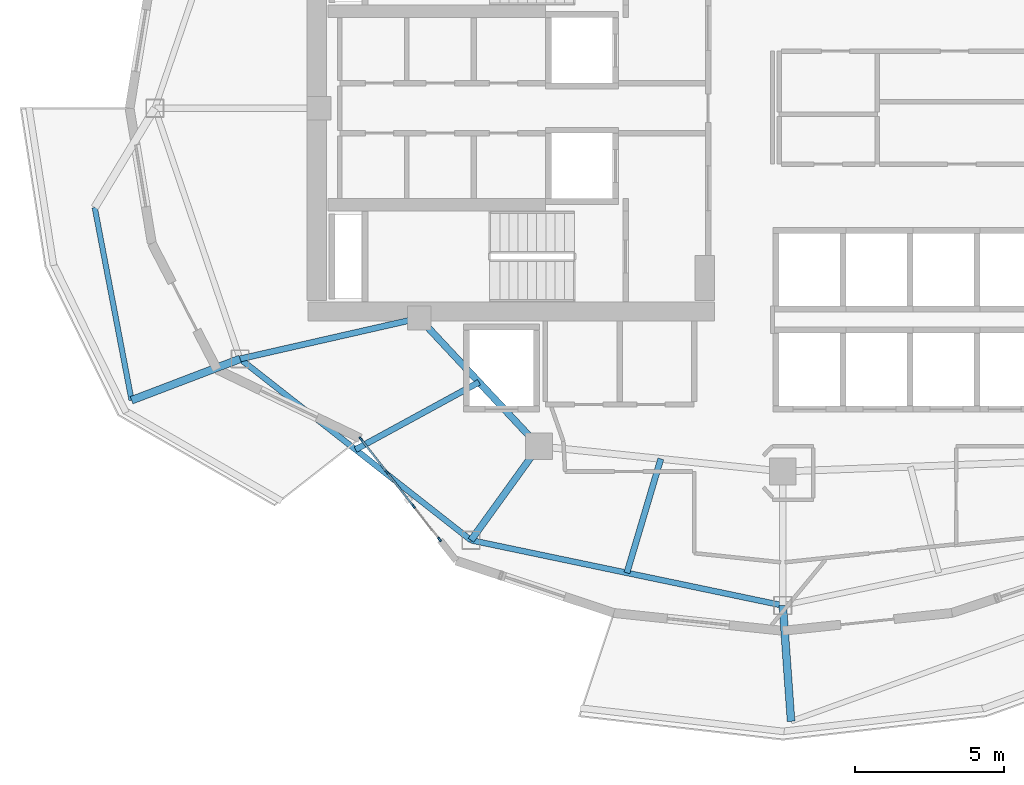
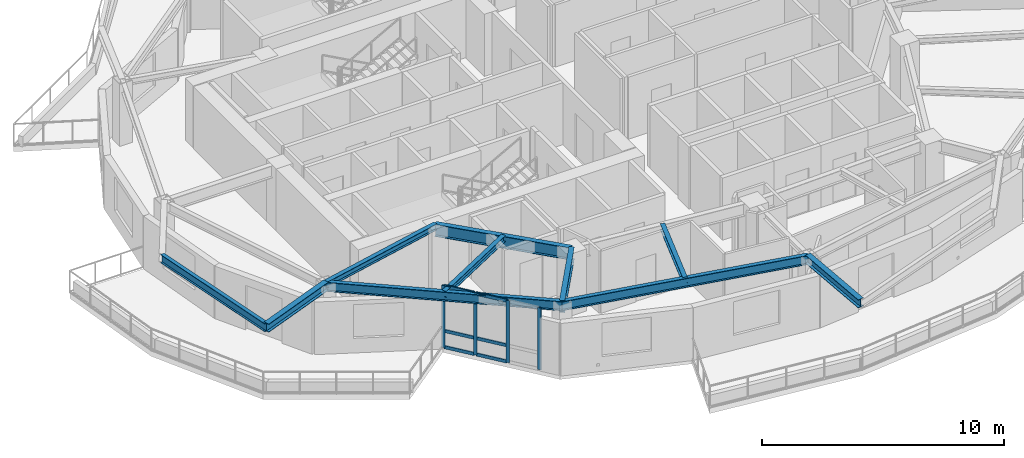
# One storey, part 2 of 19: 10 beams, 10 members, 1 element without a shape of its own.
"""IFC4 building model written with IfcOpenShell, lengths in metres."""

from ifc_helpers import new_model, si_unit, direction, frame, origin, origin_2d, place, context, subcontext, project, spatial, rectangle, i_section, extrude, material, layer, layer_set, material_profile, profile_set, type_object, element, aggregate, save


model = new_model("IFC4")

# Units and contexts
model_context = context("Model", 3, precision=1e-05, world=origin(), true_north=direction((0.0, 1.0)))
body_context = subcontext(model_context, "Body", "Model", "MODEL_VIEW")
ifc_project = project(units=[si_unit("LENGTHUNIT", "METRE"), si_unit("AREAUNIT", "SQUARE_METRE"), si_unit("VOLUMEUNIT", "CUBIC_METRE"), si_unit("PLANEANGLEUNIT", "RADIAN"), si_unit("MASSUNIT", "GRAM", prefix="KILO")], contexts=[model_context])

# Site, building, storey
site_placement = place(None, origin())
site = spatial("IfcSite", under=ifc_project, at=site_placement, CompositionType="ELEMENT")
building_placement = place(site_placement, origin())
building = spatial("IfcBuilding", under=site, at=building_placement, Name="Kolvaren Gate Tower and Convention Centre", CompositionType="ELEMENT")
storey_placement = place(building_placement, frame((0.0, 0.0, 169.89990234375)))
storey = spatial("IfcBuildingStorey", under=building, at=storey_placement, Name="L44", CompositionType="ELEMENT", Elevation=169.89990234375)

# Curtain wall, members
ifc_material_1 = material(Name="Anodized Architectural Aluminium Alloy 6063-T6", Category="aluminium")
ifc_layer = layer(ifc_material_1, 0.159912109375)
ifc_layer_set = layer_set([ifc_layer], Name="Anodized Architectural Aluminium Alloy 6063-T6")
curtain_wall_type = type_object("IfcCurtainWallType", Name="CW-HTL-UNIT", PredefinedType="NOTDEFINED", material=ifc_layer_set)
curtain_wall_placement = place(storey_placement, origin())
curtain_wall = element("IfcCurtainWall", 1, at=curtain_wall_placement, inside=storey, type_object=curtain_wall_type, Name="Tower L44 Unitised Curtain Wall CW-HTL-UNIT Bay 15", PredefinedType="NOTDEFINED")
ifc_material_profile_1 = material_profile(ifc_material_1, rectangle(XDim=0.06494140625, YDim=0.159912109375, at=origin_2d()), Name="CW-MEM-MUL-160")
ifc_profile_set_1 = profile_set([ifc_material_profile_1], Name="Anodized Architectural Aluminium Alloy 6063-T6")
member_type_1 = type_object("IfcMemberType", Name="CW-MEM-MUL-160", PredefinedType="MULLION", material=ifc_profile_set_1)
member_1_placement = place(storey_placement, frame((15.95654296875, 15.888427734375, 0.0), z_axis=(0.0, 0.0, 1.0), x_axis=(0.787414701294, 0.616423627213, 0.0)))
member_1 = element("IfcMember", 2, at=member_1_placement, type_object=member_type_1, Name="CW-03 mullion 1", PredefinedType="MULLION", context=body_context, shape_type="SweptSolid", body=[
    extrude(rectangle(XDim=0.06494140625, YDim=0.159912109375, at=origin_2d()), origin(), (0.0, 0.0, 1.0), 3.130126953125),
])
member_2_placement = place(storey_placement, frame((16.82958984375, 14.77294921875, 0.0), z_axis=(0.0, 0.0, 1.0), x_axis=(0.787414701294, 0.616423627213, 0.0)))
member_2 = element("IfcMember", 3, at=member_2_placement, type_object=member_type_1, Name="CW-03 mullion 2", PredefinedType="MULLION", context=body_context, shape_type="SweptSolid", body=[
    extrude(rectangle(XDim=0.06494140625, YDim=0.159912109375, at=origin_2d()), origin(), (0.0, 0.0, 1.0), 3.130126953125),
])
member_3_placement = place(storey_placement, frame((17.722900390625, 13.632080078125, 0.0), z_axis=(0.0, 0.0, 1.0), x_axis=(0.787414701294, 0.616423627213, 0.0)))
member_3 = element("IfcMember", 4, at=member_3_placement, type_object=member_type_1, Name="CW-03 mullion 3", PredefinedType="MULLION", context=body_context, shape_type="SweptSolid", body=[
    extrude(rectangle(XDim=0.06494140625, YDim=0.159912109375, at=origin_2d()), origin(), (0.0, 0.0, 1.0), 3.130126953125),
])
member_4_placement = place(storey_placement, frame((18.595947265625, 12.5166015625, 0.0), z_axis=(0.0, 0.0, 1.0), x_axis=(0.787414701294, 0.616423627213, 0.0)))
member_4 = element("IfcMember", 5, at=member_4_placement, type_object=member_type_1, Name="CW-03 mullion 4", PredefinedType="MULLION", context=body_context, shape_type="SweptSolid", body=[
    extrude(rectangle(XDim=0.06494140625, YDim=0.159912109375, at=origin_2d()), origin(), (0.0, 0.0, 1.0), 3.130126953125),
])
ifc_material_profile_2 = material_profile(ifc_material_1, rectangle(XDim=0.06494140625, YDim=0.159912109375, at=origin_2d()), Name="CW-MEM-TRN-160")
ifc_profile_set_2 = profile_set([ifc_material_profile_2], Name="Anodized Architectural Aluminium Alloy 6063-T6")
member_type_2 = type_object("IfcMemberType", Name="CW-MEM-TRN-160", PredefinedType="USERDEFINED", material=ifc_profile_set_2)
member_5_placement = place(storey_placement, frame((15.9765625, 15.86279296875, 0.03271484375), z_axis=(0.616376452985, -0.787451629121, 0.0), x_axis=(0.787451629121, 0.616376452985, 0.0)))
member_5 = element("IfcMember", 6, at=member_5_placement, type_object=member_type_2, Name="CW-03 transom 1.1", ObjectType="TRANSOM", PredefinedType="USERDEFINED", context=body_context, shape_type="SweptSolid", body=[
    extrude(rectangle(XDim=0.06494140625, YDim=0.159912109375, at=origin_2d()), origin(), (0.0, 0.0, 1.0), 1.3515625),
])
member_6_placement = place(storey_placement, frame((15.9765625, 15.86279296875, 0.85009765625), z_axis=(0.616376452985, -0.787451629121, 0.0), x_axis=(0.787451629121, 0.616376452985, 0.0)))
member_6 = element("IfcMember", 7, at=member_6_placement, type_object=member_type_2, Name="CW-03 transom 1.2", ObjectType="TRANSOM", PredefinedType="USERDEFINED", context=body_context, shape_type="SweptSolid", body=[
    extrude(rectangle(XDim=0.06494140625, YDim=0.159912109375, at=origin_2d()), origin(), (0.0, 0.0, 1.0), 1.3515625),
])
member_7_placement = place(storey_placement, frame((15.9765625, 15.86279296875, 3.09765625), z_axis=(0.616376452985, -0.787451629121, 0.0), x_axis=(0.787451629121, 0.616376452985, 0.0)))
member_7 = element("IfcMember", 8, at=member_7_placement, type_object=member_type_2, Name="CW-03 transom 1.3", ObjectType="TRANSOM", PredefinedType="USERDEFINED", context=body_context, shape_type="SweptSolid", body=[
    extrude(rectangle(XDim=0.06494140625, YDim=0.159912109375, at=origin_2d()), origin(), (0.0, 0.0, 1.0), 1.3515625),
])
member_8_placement = place(storey_placement, frame((16.849853515625, 14.74755859375, 0.03271484375), z_axis=(0.616355825524, -0.787467774796, 0.0), x_axis=(0.787467774796, 0.616355825524, 0.0)))
member_8 = element("IfcMember", 9, at=member_8_placement, type_object=member_type_2, Name="CW-03 transom 2.1", ObjectType="TRANSOM", PredefinedType="USERDEFINED", context=body_context, shape_type="SweptSolid", body=[
    extrude(rectangle(XDim=0.06494140625, YDim=0.159912109375, at=origin_2d()), origin(), (0.0, 0.0, 1.0), 1.384033203125),
])
member_9_placement = place(storey_placement, frame((16.849853515625, 14.74755859375, 0.85009765625), z_axis=(0.616355825524, -0.787467774796, 0.0), x_axis=(0.787467774796, 0.616355825524, 0.0)))
member_9 = element("IfcMember", 10, at=member_9_placement, type_object=member_type_2, Name="CW-03 transom 2.2", ObjectType="TRANSOM", PredefinedType="USERDEFINED", context=body_context, shape_type="SweptSolid", body=[
    extrude(rectangle(XDim=0.06494140625, YDim=0.159912109375, at=origin_2d()), origin(), (0.0, 0.0, 1.0), 1.384033203125),
])
member_10_placement = place(storey_placement, frame((16.849853515625, 14.74755859375, 3.09765625), z_axis=(0.616355825524, -0.787467774796, 0.0), x_axis=(0.787467774796, 0.616355825524, 0.0)))
member_10 = element("IfcMember", 11, at=member_10_placement, type_object=member_type_2, Name="CW-03 transom 2.3", ObjectType="TRANSOM", PredefinedType="USERDEFINED", context=body_context, shape_type="SweptSolid", body=[
    extrude(rectangle(XDim=0.06494140625, YDim=0.159912109375, at=origin_2d()), origin(), (0.0, 0.0, 1.0), 1.384033203125),
])
aggregate(curtain_wall, [member_1, member_2, member_3, member_4, member_5, member_6, member_7, member_8, member_9, member_10])

# Beams
ifc_material_2 = material(Name="Structural steel ASTM A992 Grade 345 MPa", Category="steel")
ifc_material_profile_3 = material_profile(ifc_material_2, i_section(OverallWidth=0.260009765625, OverallDepth=0.419921875, WebThickness=0.013427734375, FlangeThickness=0.0224609375, at=origin_2d()), Name="W410X132")
ifc_profile_set_3 = profile_set([ifc_material_profile_3], Name="Structural steel ASTM A992 Grade 345 MPa")
beam_type_1 = type_object("IfcBeamType", Name="STR-BM-W410X132", PredefinedType="BEAM", material=ifc_profile_set_3)
beam_1_placement = place(storey_placement, frame((11.898193359375, 18.581298828125, 2.920654296875), z_axis=(-0.934406389152, -0.356208786967, 0.0), x_axis=(0.356208786967, -0.934406389152, 0.0)))
element("IfcBeam", 12, at=beam_1_placement, inside=storey, type_object=beam_type_1, Name="Tower L45 Planted Balcony Outrigger Cantilever BC-2B", PredefinedType="BEAM", context=body_context, shape_type="SweptSolid", body=[
    extrude(i_section(OverallWidth=0.260009765625, OverallDepth=0.419921875, WebThickness=0.013427734375, FlangeThickness=0.0224609375, at=origin_2d()), origin(), (0.0, 0.0, 1.0), 3.89990234375),
])
beam_2_placement = place(storey_placement, frame((30.125, 10.300048828125, 2.920654296875), z_axis=(0.071238152604, -0.997459335318, 0.0), x_axis=(0.997459335318, 0.071238152604, 0.0)))
element("IfcBeam", 13, at=beam_2_placement, inside=storey, type_object=beam_type_1, Name="Tower L45 Planted Balcony Outrigger Cantilever BC-3A", PredefinedType="BEAM", context=body_context, shape_type="SweptSolid", body=[
    extrude(i_section(OverallWidth=0.260009765625, OverallDepth=0.419921875, WebThickness=0.013427734375, FlangeThickness=0.0224609375, at=origin_2d()), origin(), (0.0, 0.0, 1.0), 3.900146484375),
])
ifc_material_profile_4 = material_profile(ifc_material_2, i_section(OverallWidth=0.22998046875, OverallDepth=0.616943359375, WebThickness=0.01318359375, FlangeThickness=0.022216796875, at=origin_2d()), Name="W610X140")
ifc_profile_set_4 = profile_set([ifc_material_profile_4], Name="Structural steel ASTM A992 Grade 345 MPa")
beam_type_2 = type_object("IfcBeamType", Name="STR-BM-W610X140", PredefinedType="BEAM", material=ifc_profile_set_4)
beam_3_placement = place(storey_placement, frame((17.9140625, 19.949951171875, 2.821533203125), z_axis=(0.682557592987, -0.730831808459, 0.0), x_axis=(0.730831808459, 0.682557592987, 0.0)))
element("IfcBeam", 14, at=beam_3_placement, inside=storey, type_object=beam_type_2, Name="Tower L44 Primary Ring Girder G-06", PredefinedType="BEAM", context=body_context, shape_type="SweptSolid", body=[
    extrude(i_section(OverallWidth=0.22998046875, OverallDepth=0.616943359375, WebThickness=0.01318359375, FlangeThickness=0.022216796875, at=origin_2d()), origin(), (0.0, 0.0, 1.0), 5.88671875),
])
beam_4_placement = place(storey_placement, frame((21.93212890625, 15.647705078125, 2.821533203125), z_axis=(-0.585211215329, -0.810880899672, 0.0), x_axis=(0.810880899672, -0.585211215329, 0.0)))
element("IfcBeam", 15, at=beam_4_placement, inside=storey, type_object=beam_type_2, Name="Tower L44 Radial Floor Girder RB-09", PredefinedType="BEAM", context=body_context, shape_type="SweptSolid", body=[
    extrude(i_section(OverallWidth=0.22998046875, OverallDepth=0.616943359375, WebThickness=0.01318359375, FlangeThickness=0.022216796875, at=origin_2d()), origin(), (0.0, 0.0, 1.0), 3.8935546875),
])
ifc_material_profile_5 = material_profile(ifc_material_2, i_section(OverallWidth=0.205078125, OverallDepth=0.31005859375, WebThickness=0.009521484375, FlangeThickness=0.016357421875, at=origin_2d()), Name="W310X74")
ifc_profile_set_5 = profile_set([ifc_material_profile_5], Name="Structural steel ASTM A992 Grade 345 MPa")
beam_type_3 = type_object("IfcBeamType", Name="STR-JS-W310X74", PredefinedType="JOIST", material=ifc_profile_set_5)
beam_5_placement = place(storey_placement, frame((17.9140625, 19.949951171875, 2.97509765625), z_axis=(-0.975083464295, -0.221838314226, 0.0), x_axis=(0.221838314226, -0.975083464295, 0.0)))
element("IfcBeam", 16, at=beam_5_placement, inside=storey, type_object=beam_type_3, Name="Tower L44 Radial Floor Girder RB-08", PredefinedType="JOIST", context=body_context, shape_type="SweptSolid", body=[
    extrude(i_section(OverallWidth=0.205078125, OverallDepth=0.31005859375, WebThickness=0.009521484375, FlangeThickness=0.016357421875, at=origin_2d()), origin(), (0.0, 0.0, 1.0), 6.169677734375),
])
beam_6_placement = place(storey_placement, frame((19.923095703125, 17.798828125, 2.97509765625), z_axis=(-0.877822491981, -0.478986088078, 0.0), x_axis=(0.478986088078, -0.877822491981, 0.0)))
element("IfcBeam", 17, at=beam_6_placement, inside=storey, type_object=beam_type_3, Name="Tower L44 Secondary Composite Floor Joist J-08.1", PredefinedType="JOIST", context=body_context, shape_type="SweptSolid", body=[
    extrude(i_section(OverallWidth=0.205078125, OverallDepth=0.31005859375, WebThickness=0.009521484375, FlangeThickness=0.016357421875, at=origin_2d()), origin(), (0.0, 0.0, 1.0), 4.724365234375),
])
beam_7_placement = place(storey_placement, frame((26.028564453125, 15.223876953125, 2.97509765625), z_axis=(-0.28518274301, -0.958473162425, 0.0), x_axis=(0.958473162425, -0.28518274301, 0.0)))
element("IfcBeam", 18, at=beam_7_placement, inside=storey, type_object=beam_type_3, Name="Tower L44 Secondary Composite Floor Joist J-09.1", PredefinedType="JOIST", context=body_context, shape_type="SweptSolid", body=[
    extrude(i_section(OverallWidth=0.205078125, OverallDepth=0.31005859375, WebThickness=0.009521484375, FlangeThickness=0.016357421875, at=origin_2d()), origin(), (0.0, 0.0, 1.0), 3.994384765625),
])
ifc_material_profile_6 = material_profile(ifc_material_2, i_section(OverallWidth=0.180908203125, OverallDepth=0.4169921875, WebThickness=0.010986328125, FlangeThickness=0.018310546875, at=origin_2d()), Name="W410X85")
ifc_profile_set_6 = profile_set([ifc_material_profile_6], Name="Structural steel ASTM A992 Grade 345 MPa")
beam_type_4 = type_object("IfcBeamType", Name="STR-SP-W410X85", PredefinedType="SPANDREL", material=ifc_profile_set_6)
beam_8_placement = place(storey_placement, frame((7.01611328125, 23.664794921875, 2.922119140625), z_axis=(0.187866209954, -0.982194627942, 0.0), x_axis=(0.982194627942, 0.187866209954, 0.0)))
element("IfcBeam", 19, at=beam_8_placement, inside=storey, type_object=beam_type_4, Name="Tower L45 Planted Balcony Header Tie Beam BT-2", PredefinedType="SPANDREL", context=body_context, shape_type="SweptSolid", body=[
    extrude(i_section(OverallWidth=0.180908203125, OverallDepth=0.4169921875, WebThickness=0.010986328125, FlangeThickness=0.018310546875, at=origin_2d()), origin(), (0.0, 0.0, 1.0), 6.590087890625),
])
ifc_material_profile_7 = material_profile(ifc_material_2, i_section(OverallWidth=0.194091796875, OverallDepth=0.468994140625, WebThickness=0.0126953125, FlangeThickness=0.0205078125, at=origin_2d()), Name="W460X106")
ifc_profile_set_7 = profile_set([ifc_material_profile_7], Name="Structural steel ASTM A992 Grade 345 MPa")
beam_type_5 = type_object("IfcBeamType", Name="STR-SP-W460X106", PredefinedType="SPANDREL", material=ifc_profile_set_7)
beam_9_placement = place(storey_placement, frame((11.898193359375, 18.581298828125, 2.8955078125), z_axis=(0.786450621777, -0.617653154697, 0.0), x_axis=(0.617653154697, 0.786450621777, 0.0)))
element("IfcBeam", 20, at=beam_9_placement, inside=storey, type_object=beam_type_5, Name="Tower L44 Perimeter Spandrel Beam SP-08", PredefinedType="SPANDREL", context=body_context, shape_type="SweptSolid", body=[
    extrude(i_section(OverallWidth=0.194091796875, OverallDepth=0.468994140625, WebThickness=0.0126953125, FlangeThickness=0.0205078125, at=origin_2d()), origin(), (0.0, 0.0, 1.0), 9.861328125),
])
beam_10_placement = place(storey_placement, frame((19.653564453125, 12.490478515625, 2.8955078125), z_axis=(0.978814350133, -0.204749769168, 0.0), x_axis=(0.204749769168, 0.978814350133, 0.0)))
element("IfcBeam", 21, at=beam_10_placement, inside=storey, type_object=beam_type_5, Name="Tower L44 Perimeter Spandrel Beam SP-09", PredefinedType="SPANDREL", context=body_context, shape_type="SweptSolid", body=[
    extrude(i_section(OverallWidth=0.194091796875, OverallDepth=0.468994140625, WebThickness=0.0126953125, FlangeThickness=0.0205078125, at=origin_2d()), origin(), (0.0, 0.0, 1.0), 10.697998046875),
])

save(model, "model.ifc")
